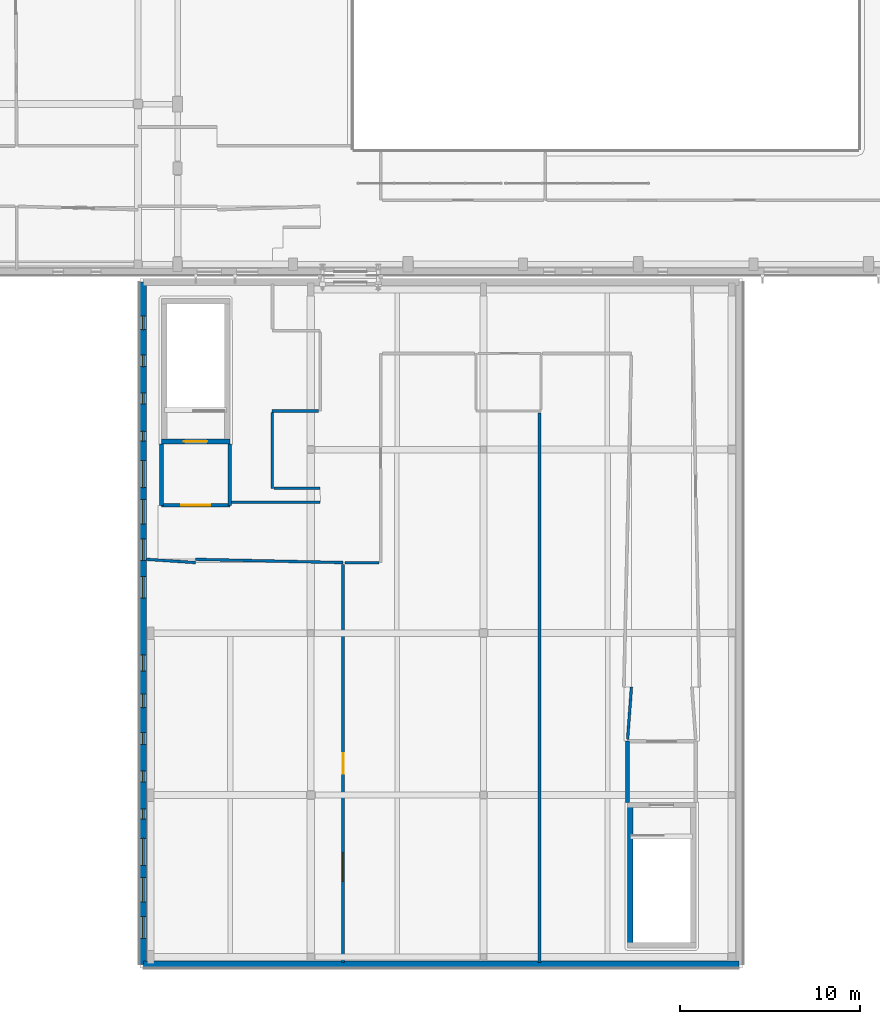
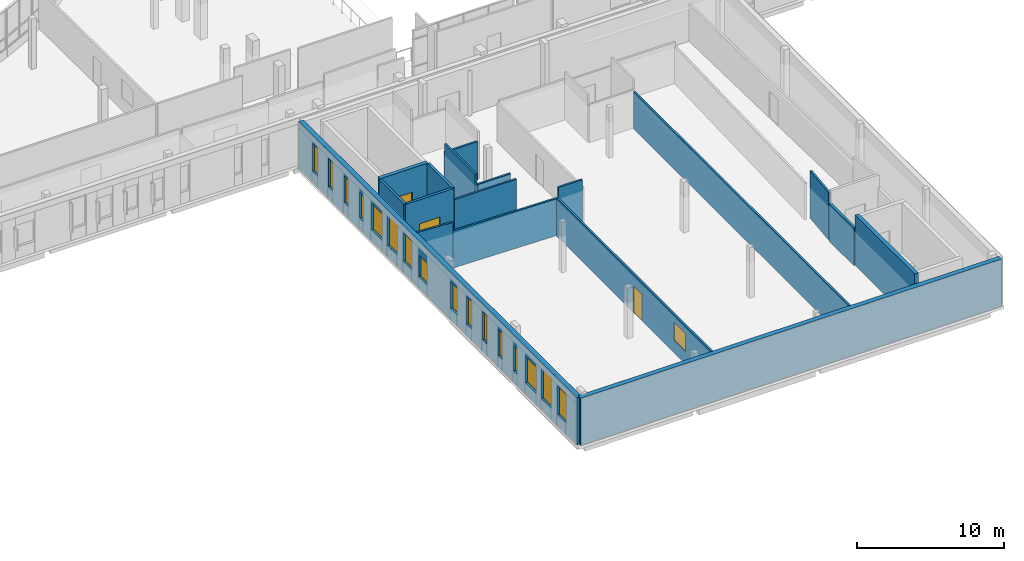
# One storey, part 45 of 84: 18 walls, 17 windows, 3 doors, 20 openings.
"""IFC4 building model written with IfcOpenShell, lengths in metres."""

from ifc_helpers import new_model, si_unit, direction, frame, frame_2d, origin, place, context, subcontext, project, spatial, rectangle, extrude, material, layer, layer_set, type_object, element, fill, save


model = new_model("IFC4")

# Units and contexts
model_context = context("Model", 3, precision=1e-05, world=origin(), true_north=direction((0.0, 1.0)))
body_context = subcontext(model_context, "Body", "Model", "MODEL_VIEW")
ifc_project = project(units=[si_unit("LENGTHUNIT", "METRE"), si_unit("AREAUNIT", "SQUARE_METRE"), si_unit("VOLUMEUNIT", "CUBIC_METRE"), si_unit("PLANEANGLEUNIT", "RADIAN"), si_unit("MASSUNIT", "GRAM", prefix="KILO")], contexts=[model_context])

# Site, building, storey
site_placement = place(None, origin())
site = spatial("IfcSite", under=ifc_project, at=site_placement, CompositionType="ELEMENT")
building_placement = place(site_placement, origin())
building = spatial("IfcBuilding", under=site, at=building_placement, Name="Mzevani Central Library", CompositionType="ELEMENT")
storey_placement = place(building_placement, frame((0.0, 0.0, 5.39990234375)))
storey = spatial("IfcBuildingStorey", under=building, at=storey_placement, Name="L01", CompositionType="ELEMENT", Elevation=5.39990234375)

# Wall
ifc_material_1 = material(Name="Concrete C35/45", Category="concrete")
ifc_layer_1 = layer(ifc_material_1, 0.199951171875, Name="Compartment Wall 200")
ifc_layer_set_1 = layer_set([ifc_layer_1], Name="Concrete C35/45")
wall_type_1 = type_object("IfcWallType", Name="Compartment Wall 200", PredefinedType="STANDARD", material=ifc_layer_set_1)
wall_1_placement = place(storey_placement, frame((113.300048828125, 33.10009765625, 0.0), z_axis=(0.0, 0.0, 1.0), x_axis=(0.0, -1.0, 0.0)))
element("IfcWall", 1, at=wall_1_placement, inside=storey, type_object=wall_type_1, Name="L01 Stair Vestibule C6A Enclosure Wall 1", PredefinedType="STANDARD", context=body_context, shape_type="SweptSolid", body=[
    extrude(rectangle(XDim=3.400146484375, YDim=0.199951171875, at=frame_2d((1.7001953125, 0.0))), origin(), (0.0, 0.0, 1.0), 4.2001953125),
])

# Wall, opening, door
wall_2_placement = place(storey_placement, frame((113.300048828125, 29.699951171875, 0.0), z_axis=(0.0, 0.0, 1.0), x_axis=(1.0, 0.0, 0.0)))
wall_2 = element("IfcWall", 2, at=wall_2_placement, inside=storey, type_object=wall_type_1, Name="L01 Stair Vestibule C6A Enclosure Wall 2", PredefinedType="STANDARD", context=body_context, shape_type="SweptSolid", body=[
    extrude(rectangle(XDim=3.800048828125, YDim=0.199951171875, at=frame_2d((1.89990234375, 0.0))), origin(), (0.0, 0.0, 1.0), 4.2001953125),
])
opening_1_placement = place(wall_2_placement, frame((1.10009765625, 0.0, 0.0)))
opening_1 = element("IfcOpeningElement", 3, at=opening_1_placement, cuts=wall_2, Name="Opening FD-02", PredefinedType="OPENING", context=body_context, shape_type="SweptSolid", body=[
    extrude(rectangle(XDim=1.60009765625, YDim=2.199951171875, at=frame_2d((0.800048828125, 1.10009765625))), frame((0.0, 0.10986328125, 0.0), z_axis=(0.0, -1.0, 0.0), x_axis=(1.0, 0.0, 0.0)), (0.0, 0.0, 1.0), 0.219970703125),
])
ifc_material_2 = material(Name="Fire-rated steel door assembly", Category="steel")
door_type_1 = type_object("IfcDoorType", Name="Fire Lobby Double Door 1600x2200", OperationType="NOTDEFINED", PredefinedType="DOOR", material=ifc_material_2)
door_1_placement = place(opening_1_placement, origin())
door_1 = element("IfcDoor", 4, at=door_1_placement, inside=storey, type_object=door_type_1, Name="L01 Stair Vestibule C6A Smoke-Control Door", OperationType="DOUBLE_DOOR_SINGLE_SWING", OverallHeight=2.199951171875, OverallWidth=1.60009765625, PredefinedType="DOOR", context=body_context, shape_type="SweptSolid", body=[
    extrude(rectangle(XDim=1.60009765625, YDim=2.199951171875, at=frame_2d((0.800048828125, 1.10009765625))), frame((0.0, 0.02490234375, 0.0), z_axis=(0.0, -1.0, 0.0), x_axis=(1.0, 0.0, 0.0)), (0.0, 0.0, 1.0), 0.050048828125),
])
fill(opening_1, door_1)

# Walls
wall_3_placement = place(storey_placement, frame((117.10009765625, 29.699951171875, 0.0), z_axis=(0.0, 0.0, 1.0), x_axis=(0.0, 1.0, 0.0)))
element("IfcWall", 5, at=wall_3_placement, inside=storey, type_object=wall_type_1, Name="L01 Stair Vestibule C6A Enclosure Wall 3", PredefinedType="STANDARD", context=body_context, shape_type="SweptSolid", body=[
    extrude(rectangle(XDim=3.400146484375, YDim=0.199951171875, at=frame_2d((1.7001953125, 0.0))), origin(), (0.0, 0.0, 1.0), 4.2001953125),
])
wall_4_placement = place(storey_placement, frame((139.199951171875, 13.199951171875, 0.0), z_axis=(0.0, 0.0, 1.0), x_axis=(0.0, 1.0, 0.0)))
element("IfcWall", 6, at=wall_4_placement, inside=storey, type_object=wall_type_1, Name="L01 Stair Vestibule C6B Enclosure Wall 1", PredefinedType="STANDARD", context=body_context, shape_type="SweptSolid", body=[
    extrude(rectangle(XDim=3.400146484375, YDim=0.199951171875, at=frame_2d((1.7001953125, 0.0))), origin(), (0.0, 0.0, 1.0), 3.1201171875),
])

# Wall, opening, door
ifc_material_3 = material(Name="Concrete C40/50", Category="concrete")
ifc_layer_2 = layer(ifc_material_3, 0.300048828125, Name="Core Shear Wall 300")
ifc_layer_set_2 = layer_set([ifc_layer_2], Name="Concrete C40/50")
wall_type_2 = type_object("IfcWallType", Name="Core Shear Wall 300", PredefinedType="SHEAR", material=ifc_layer_set_2)
wall_5_placement = place(storey_placement, frame((117.10009765625, 33.25, 0.0), z_axis=(0.0, 0.0, 1.0), x_axis=(-1.0, 0.0, 0.0)))
wall_5 = element("IfcWall", 7, at=wall_5_placement, inside=storey, type_object=wall_type_2, Name="L01 Core C6A Children's Pavilion North Stair Shear Wall (-y)", PredefinedType="SHEAR", context=body_context, shape_type="SweptSolid", body=[
    extrude(rectangle(XDim=3.800048828125, YDim=0.300048828125, at=frame_2d((1.89990234375, 0.0))), origin(), (0.0, 0.0, 1.0), 4.2001953125),
])
opening_2_placement = place(wall_5_placement, frame((1.25, 0.0, 0.0)))
opening_2 = element("IfcOpeningElement", 8, at=opening_2_placement, cuts=wall_5, Name="Opening FD-01", PredefinedType="OPENING", context=body_context, shape_type="SweptSolid", body=[
    extrude(rectangle(XDim=1.300048828125, YDim=2.199951171875, at=frame_2d((0.64990234375, 1.10009765625))), frame((0.0, 0.16015625, 0.0), z_axis=(0.0, -1.0, 0.0), x_axis=(1.0, 0.0, 0.0)), (0.0, 0.0, 1.0), 0.320068359375),
])
door_type_2 = type_object("IfcDoorType", Name="Fire Stair Door 1300x2200", OperationType="NOTDEFINED", PredefinedType="DOOR", material=ifc_material_2)
door_2_placement = place(opening_2_placement, origin())
door_2 = element("IfcDoor", 9, at=door_2_placement, inside=storey, type_object=door_type_2, Name="L01 ST-11 Protected Exit Stair Door", OperationType="SINGLE_SWING_LEFT", OverallHeight=2.199951171875, OverallWidth=1.300048828125, PredefinedType="DOOR", context=body_context, shape_type="SweptSolid", body=[
    extrude(rectangle(XDim=1.300048828125, YDim=2.199951171875, at=frame_2d((0.64990234375, 1.10009765625))), frame((0.0, 0.02490234375, 0.0), z_axis=(0.0, -1.0, 0.0), x_axis=(1.0, 0.0, 0.0)), (0.0, 0.0, 1.0), 0.050048828125),
])
fill(opening_2, door_2)

# Walls
wall_6_placement = place(storey_placement, frame((139.35009765625, 5.10009765625, 0.0), z_axis=(0.0, 0.0, 1.0), x_axis=(0.0, 1.0, 0.0)))
element("IfcWall", 10, at=wall_6_placement, inside=storey, type_object=wall_type_2, Name="L01 Core C6B Children's Pavilion East Stair Shear Wall (-x)", PredefinedType="SHEAR", context=body_context, shape_type="SweptSolid", body=[
    extrude(rectangle(XDim=8.099853515625, YDim=0.300048828125, at=frame_2d((4.0498046875, 0.0))), origin(), (0.0, 0.0, 1.0), 4.2001953125),
])
ifc_material_4 = material(Name="Precast concrete C40/50", Category="concrete")
ifc_layer_3 = layer(ifc_material_4, 0.3798828125, Name="Exterior Thermal Concrete Wall 380")
ifc_layer_set_3 = layer_set([ifc_layer_3], Name="Precast concrete C40/50")
wall_type_3 = type_object("IfcWallType", Name="Exterior Thermal Concrete Wall 380", PredefinedType="STANDARD", material=ifc_layer_set_3)
wall_7_placement = place(storey_placement, frame((145.409912109375, 4.18994140625, 0.0), z_axis=(0.0, 0.0, 1.0), x_axis=(-1.0, 0.0, 0.0)))
element("IfcWall", 11, at=wall_7_placement, inside=storey, type_object=wall_type_3, Name="L01 V6 Exterior Thermal Wall (106)", PredefinedType="STANDARD", context=body_context, shape_type="SweptSolid", body=[
    extrude(rectangle(XDim=33.119873046875, YDim=0.3798828125, at=frame_2d((16.56005859375, 0.0))), origin(), (0.0, 0.0, 1.0), 3.940185546875),
])

# Wall, openings, windows
wall_8_placement = place(storey_placement, frame((112.2900390625, 4.18994140625, 0.0), z_axis=(0.0, 0.0, 1.0), x_axis=(0.0, 1.0, 0.0)))
wall_8 = element("IfcWall", 12, at=wall_8_placement, inside=storey, type_object=wall_type_3, Name="L01 V6 Exterior Thermal Wall (107)", PredefinedType="STANDARD", context=body_context, shape_type="SweptSolid", body=[
    extrude(rectangle(XDim=37.920166015625, YDim=0.3798828125, at=frame_2d((18.9599609375, 0.0))), origin(), (0.0, 0.0, 1.0), 3.940185546875),
])
opening_3_placement = place(wall_8_placement, frame((1.449951171875, 0.0, 0.949951171875)))
opening_3 = element("IfcOpeningElement", 13, at=opening_3_placement, cuts=wall_8, Name="Opening W-07", PredefinedType="OPENING", context=body_context, shape_type="SweptSolid", body=[
    extrude(rectangle(XDim=1.199951171875, YDim=2.39990234375, at=frame_2d((0.60009765625, 1.199951171875))), frame((0.0, 0.199951171875, 0.0), z_axis=(0.0, -1.0, 0.0), x_axis=(1.0, 0.0, 0.0)), (0.0, 0.0, 1.0), 0.39990234375),
])
opening_4_placement = place(wall_8_placement, frame((3.47509765625, 0.0, 0.949951171875)))
opening_4 = element("IfcOpeningElement", 14, at=opening_4_placement, cuts=wall_8, Name="Opening W-09", PredefinedType="OPENING", context=body_context, shape_type="SweptSolid", body=[
    extrude(rectangle(XDim=1.35009765625, YDim=2.5, at=frame_2d((0.675048828125, 1.25))), frame((0.0, 0.199951171875, 0.0), z_axis=(0.0, -1.0, 0.0), x_axis=(1.0, 0.0, 0.0)), (0.0, 0.0, 1.0), 0.39990234375),
])
opening_5_placement = place(wall_8_placement, frame((5.5, 0.0, 0.949951171875)))
opening_5 = element("IfcOpeningElement", 15, at=opening_5_placement, cuts=wall_8, Name="Opening W-11", PredefinedType="OPENING", context=body_context, shape_type="SweptSolid", body=[
    extrude(rectangle(XDim=1.5, YDim=2.199951171875, at=frame_2d((0.75, 1.10009765625))), frame((0.0, 0.199951171875, 0.0), z_axis=(0.0, -1.0, 0.0), x_axis=(1.0, 0.0, 0.0)), (0.0, 0.0, 1.0), 0.39990234375),
])
opening_6_placement = place(wall_8_placement, frame((8.074951171875, 0.0, 0.949951171875)))
opening_6 = element("IfcOpeningElement", 16, at=opening_6_placement, cuts=wall_8, Name="Opening WS-02", PredefinedType="OPENING", context=body_context, shape_type="SweptSolid", body=[
    extrude(rectangle(XDim=0.550048828125, YDim=2.10009765625, at=frame_2d((0.27490234375, 1.050048828125))), frame((0.0, 0.199951171875, 0.0), z_axis=(0.0, -1.0, 0.0), x_axis=(1.0, 0.0, 0.0)), (0.0, 0.0, 1.0), 0.39990234375),
])
opening_7_placement = place(wall_8_placement, frame((10.14990234375, 0.0, 0.949951171875)))
opening_7 = element("IfcOpeningElement", 17, at=opening_7_placement, cuts=wall_8, Name="Opening WS-04", PredefinedType="OPENING", context=body_context, shape_type="SweptSolid", body=[
    extrude(rectangle(XDim=0.60009765625, YDim=2.199951171875, at=frame_2d((0.300048828125, 1.10009765625))), frame((0.0, 0.199951171875, 0.0), z_axis=(0.0, -1.0, 0.0), x_axis=(1.0, 0.0, 0.0)), (0.0, 0.0, 1.0), 0.39990234375),
])
opening_8_placement = place(wall_8_placement, frame((12.22509765625, 0.0, 0.949951171875)))
opening_8 = element("IfcOpeningElement", 18, at=opening_8_placement, cuts=wall_8, Name="Opening WS-06", PredefinedType="OPENING", context=body_context, shape_type="SweptSolid", body=[
    extrude(rectangle(XDim=0.64990234375, YDim=2.39990234375, at=frame_2d((0.324951171875, 1.199951171875))), frame((0.0, 0.199951171875, 0.0), z_axis=(0.0, -1.0, 0.0), x_axis=(1.0, 0.0, 0.0)), (0.0, 0.0, 1.0), 0.39990234375),
])
opening_9_placement = place(wall_8_placement, frame((14.27490234375, 0.0, 0.949951171875)))
opening_9 = element("IfcOpeningElement", 19, at=opening_9_placement, cuts=wall_8, Name="Opening WS-08", PredefinedType="OPENING", context=body_context, shape_type="SweptSolid", body=[
    extrude(rectangle(XDim=0.75, YDim=2.300048828125, at=frame_2d((0.375, 1.14990234375))), frame((0.0, 0.199951171875, 0.0), z_axis=(0.0, -1.0, 0.0), x_axis=(1.0, 0.0, 0.0)), (0.0, 0.0, 1.0), 0.39990234375),
])
opening_10_placement = place(wall_8_placement, frame((16.300048828125, 0.0, 0.949951171875)))
opening_10 = element("IfcOpeningElement", 20, at=opening_10_placement, cuts=wall_8, Name="Opening W-02", PredefinedType="OPENING", context=body_context, shape_type="SweptSolid", body=[
    extrude(rectangle(XDim=0.89990234375, YDim=2.199951171875, at=frame_2d((0.449951171875, 1.10009765625))), frame((0.0, 0.199951171875, 0.0), z_axis=(0.0, -1.0, 0.0), x_axis=(1.0, 0.0, 0.0)), (0.0, 0.0, 1.0), 0.39990234375),
])
opening_11_placement = place(wall_8_placement, frame((20.35009765625, 0.0, 0.949951171875)))
opening_11 = element("IfcOpeningElement", 21, at=opening_11_placement, cuts=wall_8, Name="Opening W-05", PredefinedType="OPENING", context=body_context, shape_type="SweptSolid", body=[
    extrude(rectangle(XDim=1.199951171875, YDim=1.800048828125, at=frame_2d((0.60009765625, 0.89990234375))), frame((0.0, 0.199951171875, 0.0), z_axis=(0.0, -1.0, 0.0), x_axis=(1.0, 0.0, 0.0)), (0.0, 0.0, 1.0), 0.39990234375),
])
opening_12_placement = place(wall_8_placement, frame((22.449951171875, 0.0, 0.949951171875)))
opening_12 = element("IfcOpeningElement", 22, at=opening_12_placement, cuts=wall_8, Name="Opening W-07", PredefinedType="OPENING", context=body_context, shape_type="SweptSolid", body=[
    extrude(rectangle(XDim=1.199951171875, YDim=2.39990234375, at=frame_2d((0.60009765625, 1.199951171875))), frame((0.0, 0.199951171875, 0.0), z_axis=(0.0, -1.0, 0.0), x_axis=(1.0, 0.0, 0.0)), (0.0, 0.0, 1.0), 0.39990234375),
])
opening_13_placement = place(wall_8_placement, frame((24.47509765625, 0.0, 0.949951171875)))
opening_13 = element("IfcOpeningElement", 23, at=opening_13_placement, cuts=wall_8, Name="Opening W-09", PredefinedType="OPENING", context=body_context, shape_type="SweptSolid", body=[
    extrude(rectangle(XDim=1.35009765625, YDim=2.5, at=frame_2d((0.675048828125, 1.25))), frame((0.0, 0.199951171875, 0.0), z_axis=(0.0, -1.0, 0.0), x_axis=(1.0, 0.0, 0.0)), (0.0, 0.0, 1.0), 0.39990234375),
])
opening_14_placement = place(wall_8_placement, frame((26.5, 0.0, 0.949951171875)))
opening_14 = element("IfcOpeningElement", 24, at=opening_14_placement, cuts=wall_8, Name="Opening W-11", PredefinedType="OPENING", context=body_context, shape_type="SweptSolid", body=[
    extrude(rectangle(XDim=1.5, YDim=2.199951171875, at=frame_2d((0.75, 1.10009765625))), frame((0.0, 0.199951171875, 0.0), z_axis=(0.0, -1.0, 0.0), x_axis=(1.0, 0.0, 0.0)), (0.0, 0.0, 1.0), 0.39990234375),
])
opening_15_placement = place(wall_8_placement, frame((29.074951171875, 0.0, 0.949951171875)))
opening_15 = element("IfcOpeningElement", 25, at=opening_15_placement, cuts=wall_8, Name="Opening WS-02", PredefinedType="OPENING", context=body_context, shape_type="SweptSolid", body=[
    extrude(rectangle(XDim=0.550048828125, YDim=2.10009765625, at=frame_2d((0.27490234375, 1.050048828125))), frame((0.0, 0.199951171875, 0.0), z_axis=(0.0, -1.0, 0.0), x_axis=(1.0, 0.0, 0.0)), (0.0, 0.0, 1.0), 0.39990234375),
])
opening_16_placement = place(wall_8_placement, frame((31.14990234375, 0.0, 0.949951171875)))
opening_16 = element("IfcOpeningElement", 26, at=opening_16_placement, cuts=wall_8, Name="Opening WS-04", PredefinedType="OPENING", context=body_context, shape_type="SweptSolid", body=[
    extrude(rectangle(XDim=0.60009765625, YDim=2.199951171875, at=frame_2d((0.300048828125, 1.10009765625))), frame((0.0, 0.199951171875, 0.0), z_axis=(0.0, -1.0, 0.0), x_axis=(1.0, 0.0, 0.0)), (0.0, 0.0, 1.0), 0.39990234375),
])
opening_17_placement = place(wall_8_placement, frame((33.22509765625, 0.0, 0.949951171875)))
opening_17 = element("IfcOpeningElement", 27, at=opening_17_placement, cuts=wall_8, Name="Opening WS-06", PredefinedType="OPENING", context=body_context, shape_type="SweptSolid", body=[
    extrude(rectangle(XDim=0.64990234375, YDim=2.39990234375, at=frame_2d((0.324951171875, 1.199951171875))), frame((0.0, 0.199951171875, 0.0), z_axis=(0.0, -1.0, 0.0), x_axis=(1.0, 0.0, 0.0)), (0.0, 0.0, 1.0), 0.39990234375),
])
opening_18_placement = place(wall_8_placement, frame((35.27490234375, 0.0, 0.949951171875)))
opening_18 = element("IfcOpeningElement", 28, at=opening_18_placement, cuts=wall_8, Name="Opening WS-08", PredefinedType="OPENING", context=body_context, shape_type="SweptSolid", body=[
    extrude(rectangle(XDim=0.75, YDim=2.300048828125, at=frame_2d((0.375, 1.14990234375))), frame((0.0, 0.199951171875, 0.0), z_axis=(0.0, -1.0, 0.0), x_axis=(1.0, 0.0, 0.0)), (0.0, 0.0, 1.0), 0.39990234375),
])
ifc_material_5 = material(Name="Low-E triple glazing glass", Category="glass")
window_type_1 = type_object("IfcWindowType", Name="Archive Slot Window 550x2100", PartitioningType="SINGLE_PANEL", PredefinedType="WINDOW", material=ifc_material_5)
window_1_placement = place(opening_6_placement, origin())
window_1 = element("IfcWindow", 29, at=window_1_placement, inside=storey, type_object=window_type_1, Name="L01 V6 Courtyard/Colonnade Window WS-02 (208)", OverallHeight=2.10009765625, OverallWidth=0.550048828125, PartitioningType="SINGLE_PANEL", PredefinedType="WINDOW", context=body_context, shape_type="SweptSolid", body=[
    extrude(rectangle(XDim=0.550048828125, YDim=2.10009765625, at=frame_2d((0.27490234375, 1.050048828125))), frame((0.0, 0.030029296875, 0.0), z_axis=(0.0, -1.0, 0.0), x_axis=(1.0, 0.0, 0.0)), (0.0, 0.0, 1.0), 0.06005859375),
])
fill(opening_6, window_1)
window_2_placement = place(opening_15_placement, origin())
window_2 = element("IfcWindow", 30, at=window_2_placement, inside=storey, type_object=window_type_1, Name="L01 V6 Courtyard/Colonnade Window WS-02 (217)", OverallHeight=2.10009765625, OverallWidth=0.550048828125, PartitioningType="SINGLE_PANEL", PredefinedType="WINDOW", context=body_context, shape_type="SweptSolid", body=[
    extrude(rectangle(XDim=0.550048828125, YDim=2.10009765625, at=frame_2d((0.27490234375, 1.050048828125))), frame((0.0, 0.030029296875, 0.0), z_axis=(0.0, -1.0, 0.0), x_axis=(1.0, 0.0, 0.0)), (0.0, 0.0, 1.0), 0.06005859375),
])
fill(opening_15, window_2)
window_type_2 = type_object("IfcWindowType", Name="Archive Slot Window 600x2200", PartitioningType="SINGLE_PANEL", PredefinedType="WINDOW", material=ifc_material_5)
window_3_placement = place(opening_7_placement, origin())
window_3 = element("IfcWindow", 31, at=window_3_placement, inside=storey, type_object=window_type_2, Name="L01 V6 Courtyard/Colonnade Window WS-04 (209)", OverallHeight=2.199951171875, OverallWidth=0.60009765625, PartitioningType="SINGLE_PANEL", PredefinedType="WINDOW", context=body_context, shape_type="SweptSolid", body=[
    extrude(rectangle(XDim=0.60009765625, YDim=2.199951171875, at=frame_2d((0.300048828125, 1.10009765625))), frame((0.0, 0.030029296875, 0.0), z_axis=(0.0, -1.0, 0.0), x_axis=(1.0, 0.0, 0.0)), (0.0, 0.0, 1.0), 0.06005859375),
])
fill(opening_7, window_3)
window_4_placement = place(opening_16_placement, origin())
window_4 = element("IfcWindow", 32, at=window_4_placement, inside=storey, type_object=window_type_2, Name="L01 V6 Courtyard/Colonnade Window WS-04 (218)", OverallHeight=2.199951171875, OverallWidth=0.60009765625, PartitioningType="SINGLE_PANEL", PredefinedType="WINDOW", context=body_context, shape_type="SweptSolid", body=[
    extrude(rectangle(XDim=0.60009765625, YDim=2.199951171875, at=frame_2d((0.300048828125, 1.10009765625))), frame((0.0, 0.030029296875, 0.0), z_axis=(0.0, -1.0, 0.0), x_axis=(1.0, 0.0, 0.0)), (0.0, 0.0, 1.0), 0.06005859375),
])
fill(opening_16, window_4)
window_type_3 = type_object("IfcWindowType", Name="Archive Slot Window 650x2400", PartitioningType="SINGLE_PANEL", PredefinedType="WINDOW", material=ifc_material_5)
window_5_placement = place(opening_8_placement, origin())
window_5 = element("IfcWindow", 33, at=window_5_placement, inside=storey, type_object=window_type_3, Name="L01 V6 Courtyard/Colonnade Window WS-06 (210)", OverallHeight=2.39990234375, OverallWidth=0.64990234375, PartitioningType="SINGLE_PANEL", PredefinedType="WINDOW", context=body_context, shape_type="SweptSolid", body=[
    extrude(rectangle(XDim=0.64990234375, YDim=2.39990234375, at=frame_2d((0.324951171875, 1.199951171875))), frame((0.0, 0.030029296875, 0.0), z_axis=(0.0, -1.0, 0.0), x_axis=(1.0, 0.0, 0.0)), (0.0, 0.0, 1.0), 0.06005859375),
])
fill(opening_8, window_5)
window_6_placement = place(opening_17_placement, origin())
window_6 = element("IfcWindow", 34, at=window_6_placement, inside=storey, type_object=window_type_3, Name="L01 V6 Courtyard/Colonnade Window WS-06 (219)", OverallHeight=2.39990234375, OverallWidth=0.64990234375, PartitioningType="SINGLE_PANEL", PredefinedType="WINDOW", context=body_context, shape_type="SweptSolid", body=[
    extrude(rectangle(XDim=0.64990234375, YDim=2.39990234375, at=frame_2d((0.324951171875, 1.199951171875))), frame((0.0, 0.030029296875, 0.0), z_axis=(0.0, -1.0, 0.0), x_axis=(1.0, 0.0, 0.0)), (0.0, 0.0, 1.0), 0.06005859375),
])
fill(opening_17, window_6)
window_type_4 = type_object("IfcWindowType", Name="Archive Slot Window 750x2300", PartitioningType="SINGLE_PANEL", PredefinedType="WINDOW", material=ifc_material_5)
window_7_placement = place(opening_9_placement, origin())
window_7 = element("IfcWindow", 35, at=window_7_placement, inside=storey, type_object=window_type_4, Name="L01 V6 Courtyard/Colonnade Window WS-08 (211)", OverallHeight=2.300048828125, OverallWidth=0.75, PartitioningType="SINGLE_PANEL", PredefinedType="WINDOW", context=body_context, shape_type="SweptSolid", body=[
    extrude(rectangle(XDim=0.75, YDim=2.300048828125, at=frame_2d((0.375, 1.14990234375))), frame((0.0, 0.030029296875, 0.0), z_axis=(0.0, -1.0, 0.0), x_axis=(1.0, 0.0, 0.0)), (0.0, 0.0, 1.0), 0.06005859375),
])
fill(opening_9, window_7)
window_8_placement = place(opening_18_placement, origin())
window_8 = element("IfcWindow", 36, at=window_8_placement, inside=storey, type_object=window_type_4, Name="L01 V6 Courtyard/Colonnade Window WS-08 (220)", OverallHeight=2.300048828125, OverallWidth=0.75, PartitioningType="SINGLE_PANEL", PredefinedType="WINDOW", context=body_context, shape_type="SweptSolid", body=[
    extrude(rectangle(XDim=0.75, YDim=2.300048828125, at=frame_2d((0.375, 1.14990234375))), frame((0.0, 0.030029296875, 0.0), z_axis=(0.0, -1.0, 0.0), x_axis=(1.0, 0.0, 0.0)), (0.0, 0.0, 1.0), 0.06005859375),
])
fill(opening_18, window_8)
window_type_5 = type_object("IfcWindowType", Name="Deep Reveal Window 1200x1800", PartitioningType="SINGLE_PANEL", PredefinedType="WINDOW", material=ifc_material_5)
window_9_placement = place(opening_11_placement, origin())
window_9 = element("IfcWindow", 37, at=window_9_placement, inside=storey, type_object=window_type_5, Name="L01 V6 Courtyard/Colonnade Window W-05 (213)", OverallHeight=1.800048828125, OverallWidth=1.199951171875, PartitioningType="SINGLE_PANEL", PredefinedType="WINDOW", context=body_context, shape_type="SweptSolid", body=[
    extrude(rectangle(XDim=1.199951171875, YDim=1.800048828125, at=frame_2d((0.60009765625, 0.89990234375))), frame((0.0, 0.030029296875, 0.0), z_axis=(0.0, -1.0, 0.0), x_axis=(1.0, 0.0, 0.0)), (0.0, 0.0, 1.0), 0.06005859375),
])
fill(opening_11, window_9)
window_type_6 = type_object("IfcWindowType", Name="Deep Reveal Window 1200x2400", PartitioningType="SINGLE_PANEL", PredefinedType="WINDOW", material=ifc_material_5)
window_10_placement = place(opening_3_placement, origin())
window_10 = element("IfcWindow", 38, at=window_10_placement, inside=storey, type_object=window_type_6, Name="L01 V6 Courtyard/Colonnade Window W-07 (205)", OverallHeight=2.39990234375, OverallWidth=1.199951171875, PartitioningType="SINGLE_PANEL", PredefinedType="WINDOW", context=body_context, shape_type="SweptSolid", body=[
    extrude(rectangle(XDim=1.199951171875, YDim=2.39990234375, at=frame_2d((0.60009765625, 1.199951171875))), frame((0.0, 0.030029296875, 0.0), z_axis=(0.0, -1.0, 0.0), x_axis=(1.0, 0.0, 0.0)), (0.0, 0.0, 1.0), 0.06005859375),
])
fill(opening_3, window_10)
window_11_placement = place(opening_12_placement, origin())
window_11 = element("IfcWindow", 39, at=window_11_placement, inside=storey, type_object=window_type_6, Name="L01 V6 Courtyard/Colonnade Window W-07 (214)", OverallHeight=2.39990234375, OverallWidth=1.199951171875, PartitioningType="SINGLE_PANEL", PredefinedType="WINDOW", context=body_context, shape_type="SweptSolid", body=[
    extrude(rectangle(XDim=1.199951171875, YDim=2.39990234375, at=frame_2d((0.60009765625, 1.199951171875))), frame((0.0, 0.030029296875, 0.0), z_axis=(0.0, -1.0, 0.0), x_axis=(1.0, 0.0, 0.0)), (0.0, 0.0, 1.0), 0.06005859375),
])
fill(opening_12, window_11)
window_type_7 = type_object("IfcWindowType", Name="Deep Reveal Window 1350x2500", PartitioningType="SINGLE_PANEL", PredefinedType="WINDOW", material=ifc_material_5)
window_12_placement = place(opening_4_placement, origin())
window_12 = element("IfcWindow", 40, at=window_12_placement, inside=storey, type_object=window_type_7, Name="L01 V6 Courtyard/Colonnade Window W-09 (206)", OverallHeight=2.5, OverallWidth=1.35009765625, PartitioningType="SINGLE_PANEL", PredefinedType="WINDOW", context=body_context, shape_type="SweptSolid", body=[
    extrude(rectangle(XDim=1.35009765625, YDim=2.5, at=frame_2d((0.675048828125, 1.25))), frame((0.0, 0.030029296875, 0.0), z_axis=(0.0, -1.0, 0.0), x_axis=(1.0, 0.0, 0.0)), (0.0, 0.0, 1.0), 0.06005859375),
])
fill(opening_4, window_12)
window_13_placement = place(opening_13_placement, origin())
window_13 = element("IfcWindow", 41, at=window_13_placement, inside=storey, type_object=window_type_7, Name="L01 V6 Courtyard/Colonnade Window W-09 (215)", OverallHeight=2.5, OverallWidth=1.35009765625, PartitioningType="SINGLE_PANEL", PredefinedType="WINDOW", context=body_context, shape_type="SweptSolid", body=[
    extrude(rectangle(XDim=1.35009765625, YDim=2.5, at=frame_2d((0.675048828125, 1.25))), frame((0.0, 0.030029296875, 0.0), z_axis=(0.0, -1.0, 0.0), x_axis=(1.0, 0.0, 0.0)), (0.0, 0.0, 1.0), 0.06005859375),
])
fill(opening_13, window_13)
window_type_8 = type_object("IfcWindowType", Name="Deep Reveal Window 1500x2200", PartitioningType="SINGLE_PANEL", PredefinedType="WINDOW", material=ifc_material_5)
window_14_placement = place(opening_5_placement, origin())
window_14 = element("IfcWindow", 42, at=window_14_placement, inside=storey, type_object=window_type_8, Name="L01 V6 Courtyard/Colonnade Window W-11 (207)", OverallHeight=2.199951171875, OverallWidth=1.5, PartitioningType="SINGLE_PANEL", PredefinedType="WINDOW", context=body_context, shape_type="SweptSolid", body=[
    extrude(rectangle(XDim=1.5, YDim=2.199951171875, at=frame_2d((0.75, 1.10009765625))), frame((0.0, 0.030029296875, 0.0), z_axis=(0.0, -1.0, 0.0), x_axis=(1.0, 0.0, 0.0)), (0.0, 0.0, 1.0), 0.06005859375),
])
fill(opening_5, window_14)
window_15_placement = place(opening_14_placement, origin())
window_15 = element("IfcWindow", 43, at=window_15_placement, inside=storey, type_object=window_type_8, Name="L01 V6 Courtyard/Colonnade Window W-11 (216)", OverallHeight=2.199951171875, OverallWidth=1.5, PartitioningType="SINGLE_PANEL", PredefinedType="WINDOW", context=body_context, shape_type="SweptSolid", body=[
    extrude(rectangle(XDim=1.5, YDim=2.199951171875, at=frame_2d((0.75, 1.10009765625))), frame((0.0, 0.030029296875, 0.0), z_axis=(0.0, -1.0, 0.0), x_axis=(1.0, 0.0, 0.0)), (0.0, 0.0, 1.0), 0.06005859375),
])
fill(opening_14, window_15)
window_type_9 = type_object("IfcWindowType", Name="Deep Reveal Window 900x2200", PartitioningType="SINGLE_PANEL", PredefinedType="WINDOW", material=ifc_material_5)
window_16_placement = place(opening_10_placement, origin())
window_16 = element("IfcWindow", 44, at=window_16_placement, inside=storey, type_object=window_type_9, Name="L01 V6 Courtyard/Colonnade Window W-02 (212)", OverallHeight=2.199951171875, OverallWidth=0.89990234375, PartitioningType="SINGLE_PANEL", PredefinedType="WINDOW", context=body_context, shape_type="SweptSolid", body=[
    extrude(rectangle(XDim=0.89990234375, YDim=2.199951171875, at=frame_2d((0.449951171875, 1.10009765625))), frame((0.0, 0.030029296875, 0.0), z_axis=(0.0, -1.0, 0.0), x_axis=(1.0, 0.0, 0.0)), (0.0, 0.0, 1.0), 0.06005859375),
])
fill(opening_10, window_16)

# Walls
ifc_material_6 = material(Name="Fire-rated gypsum board", Category="gypsum")
ifc_layer_4 = layer(ifc_material_6, 0.14990234375, Name="Partition Study 150")
ifc_layer_set_4 = layer_set([ifc_layer_4], Name="Fire-rated gypsum board")
wall_type_4 = type_object("IfcWallType", Name="Partition Study 150", PredefinedType="PARTITIONING", material=ifc_layer_set_4)
wall_9_placement = place(storey_placement, frame((122.02001953125, 34.949951171875, 0.0), z_axis=(0.0, 0.0, 1.0), x_axis=(-1.0, 0.0, 0.0)))
element("IfcWall", 45, at=wall_9_placement, inside=storey, type_object=wall_type_4, Name="L01 V6 Partition IW-03 (346)", PredefinedType="PARTITIONING", context=body_context, shape_type="SweptSolid", body=[
    extrude(rectangle(XDim=2.570068359375, YDim=0.14990234375, at=frame_2d((1.28515625, 0.0))), origin(), (0.0, 0.0, 1.0), 3.18017578125),
])
wall_10_placement = place(storey_placement, frame((119.449951171875, 34.85009765625, 0.0), z_axis=(0.0, 0.0, 1.0), x_axis=(0.0, -1.0, 0.0)))
element("IfcWall", 46, at=wall_10_placement, inside=storey, type_object=wall_type_4, Name="L01 V6 Partition IW-03 (347)", PredefinedType="PARTITIONING", context=body_context, shape_type="SweptSolid", body=[
    extrude(rectangle(XDim=4.2001953125, YDim=0.14990234375, at=frame_2d((2.10009765625, 0.0))), origin(), (0.0, 0.0, 1.0), 3.940185546875),
])
wall_11_placement = place(storey_placement, frame((119.550048828125, 30.64990234375, 0.0), z_axis=(0.0, 0.0, 1.0), x_axis=(1.0, 0.0, 0.0)))
element("IfcWall", 47, at=wall_11_placement, inside=storey, type_object=wall_type_4, Name="L01 V6 Partition IW-03 (348)", PredefinedType="PARTITIONING", context=body_context, shape_type="SweptSolid", body=[
    extrude(rectangle(XDim=2.570068359375, YDim=0.14990234375, at=frame_2d((1.28515625, 0.0))), origin(), (0.0, 0.0, 1.0), 3.080078125),
])
wall_12_placement = place(storey_placement, frame((122.1201171875, 29.8798828125, 0.0), z_axis=(0.0, 0.0, 1.0), x_axis=(-1.0, 0.0, 0.0)))
element("IfcWall", 48, at=wall_12_placement, inside=storey, type_object=wall_type_4, Name="L01 V6 Partition IW-03 (349)", PredefinedType="PARTITIONING", context=body_context, shape_type="SweptSolid", body=[
    extrude(rectangle(XDim=4.920166015625, YDim=0.14990234375, at=frame_2d((2.4599609375, 0.0))), origin(), (0.0, 0.0, 1.0), 3.080078125),
])
wall_13_placement = place(storey_placement, frame((112.47998046875, 26.699951171875, 0.0), z_axis=(0.0, 0.0, 1.0), x_axis=(0.997819108311, -0.066007780525, 0.0)))
element("IfcWall", 49, at=wall_13_placement, inside=storey, type_object=wall_type_4, Name="L01 V6 Partition IW-03 (350)", PredefinedType="PARTITIONING", context=body_context, shape_type="SweptSolid", body=[
    extrude(rectangle(XDim=2.725830078125, YDim=0.14990234375, at=frame_2d((1.36279296875, 0.0))), origin(), (0.0, 0.0, 1.0), 3.940185546875),
])
wall_14_placement = place(storey_placement, frame((115.199951171875, 26.699951171875, 0.0), z_axis=(0.0, 0.0, 1.0), x_axis=(0.999758951727, -0.02195537388, 0.0)))
element("IfcWall", 50, at=wall_14_placement, inside=storey, type_object=wall_type_4, Name="L01 V6 Partition IW-03 (351)", PredefinedType="PARTITIONING", context=body_context, shape_type="SweptSolid", body=[
    extrude(rectangle(XDim=8.1953125, YDim=0.14990234375, at=frame_2d((4.09765625, 0.0))), origin(), (0.0, 0.0, 1.0), 3.080078125),
])

# Wall, openings, door, window
wall_15_placement = place(storey_placement, frame((123.393310546875, 26.419921875, 0.0), z_axis=(0.0, 0.0, 1.0), x_axis=(0.0, -1.0, 0.0)))
wall_15 = element("IfcWall", 51, at=wall_15_placement, inside=storey, type_object=wall_type_4, Name="L01 V6 Partition IW-03 (352)", PredefinedType="PARTITIONING", context=body_context, shape_type="SweptSolid", body=[
    extrude(rectangle(XDim=22.1298828125, YDim=0.14990234375, at=frame_2d((11.06494140625, 0.0))), origin(), (0.0, 0.0, 1.0), 3.170166015625),
])
opening_19_placement = place(wall_15_placement, frame((10.489990234375, 0.0, 0.0)))
opening_19 = element("IfcOpeningElement", 52, at=opening_19_placement, cuts=wall_15, Name="Opening ID-09", PredefinedType="OPENING", context=body_context, shape_type="SweptSolid", body=[
    extrude(rectangle(XDim=1.14990234375, YDim=2.199951171875, at=frame_2d((0.574951171875, 1.10009765625))), frame((0.0, 0.0849609375, 0.0), z_axis=(0.0, -1.0, 0.0), x_axis=(1.0, 0.0, 0.0)), (0.0, 0.0, 1.0), 0.169921875),
])
opening_20_placement = place(wall_15_placement, frame((16.018798828125, 0.0, 1.050048828125)))
opening_20 = element("IfcOpeningElement", 53, at=opening_20_placement, cuts=wall_15, Name="Opening IW-W01", PredefinedType="OPENING", context=body_context, shape_type="SweptSolid", body=[
    extrude(rectangle(XDim=1.60009765625, YDim=1.5, at=frame_2d((0.800048828125, 0.75))), frame((0.0, 0.0849609375, 0.0), z_axis=(0.0, -1.0, 0.0), x_axis=(1.0, 0.0, 0.0)), (0.0, 0.0, 1.0), 0.169921875),
])
ifc_material_7 = material(Name="Fire-rated solid oak leaf")
door_type_3 = type_object("IfcDoorType", Name="Community Room Door 1150x2200", OperationType="NOTDEFINED", PredefinedType="DOOR", material=ifc_material_7)
door_3_placement = place(opening_19_placement, origin())
door_3 = element("IfcDoor", 54, at=door_3_placement, inside=storey, type_object=door_type_3, Name="L01 Young Adult Reading Lounge Door", OperationType="SINGLE_SWING_RIGHT", OverallHeight=2.199951171875, OverallWidth=1.14990234375, PredefinedType="DOOR", context=body_context, shape_type="SweptSolid", body=[
    extrude(rectangle(XDim=1.14990234375, YDim=2.199951171875, at=frame_2d((0.574951171875, 1.10009765625))), frame((0.0, 0.02490234375, 0.0), z_axis=(0.0, -1.0, 0.0), x_axis=(1.0, 0.0, 0.0)), (0.0, 0.0, 1.0), 0.050048828125),
])
fill(opening_19, door_3)
window_type_10 = type_object("IfcWindowType", Name="Interior Borrowed Light 1600x1500", PartitioningType="SINGLE_PANEL", PredefinedType="WINDOW", material=ifc_material_5)
window_17_placement = place(opening_20_placement, origin())
window_17 = element("IfcWindow", 55, at=window_17_placement, inside=storey, type_object=window_type_10, Name="L01 STEM Discovery Workshop Acoustic Borrowed Light", OverallHeight=1.5, OverallWidth=1.60009765625, PartitioningType="SINGLE_PANEL", PredefinedType="WINDOW", context=body_context, shape_type="SweptSolid", body=[
    extrude(rectangle(XDim=1.60009765625, YDim=1.5, at=frame_2d((0.800048828125, 0.75))), frame((0.0, 0.030029296875, 0.0), z_axis=(0.0, -1.0, 0.0), x_axis=(1.0, 0.0, 0.0)), (0.0, 0.0, 1.0), 0.06005859375),
])
fill(opening_20, window_17)

# Walls
wall_16_placement = place(storey_placement, frame((134.306640625, 34.840087890625, 0.0), z_axis=(0.0, 0.0, 1.0), x_axis=(0.0, -1.0, 0.0)))
element("IfcWall", 56, at=wall_16_placement, inside=storey, type_object=wall_type_4, Name="L01 V6 Partition IW-03 (356)", PredefinedType="PARTITIONING", context=body_context, shape_type="SweptSolid", body=[
    extrude(rectangle(XDim=30.550048828125, YDim=0.14990234375, at=frame_2d((15.27490234375, 0.0))), origin(), (0.0, 0.0, 1.0), 3.080078125),
])
wall_17_placement = place(storey_placement, frame((123.493408203125, 26.52001953125, 0.0), z_axis=(0.0, 0.0, 1.0), x_axis=(1.0, 0.0, 0.0)))
element("IfcWall", 57, at=wall_17_placement, inside=storey, type_object=wall_type_4, Name="L01 V6 Partition IW-03 (357)", PredefinedType="PARTITIONING", context=body_context, shape_type="SweptSolid", body=[
    extrude(rectangle(XDim=1.886474609375, YDim=0.14990234375, at=frame_2d((0.943359375, 0.0))), origin(), (0.0, 0.0, 1.0), 3.940185546875),
])
wall_18_placement = place(storey_placement, frame((139.419921875, 19.60009765625, 0.0), z_axis=(0.0, 0.0, 1.0), x_axis=(-0.073120239762, -0.997323132459, 0.0)))
element("IfcWall", 58, at=wall_18_placement, inside=storey, type_object=wall_type_4, Name="L01 V6 Partition IW-03 (360)", PredefinedType="PARTITIONING", context=body_context, shape_type="SweptSolid", body=[
    extrude(rectangle(XDim=2.908203125, YDim=0.14990234375, at=frame_2d((1.4541015625, 0.0))), origin(), (0.0, 0.0, 1.0), 3.940185546875),
])

save(model, "model.ifc")
